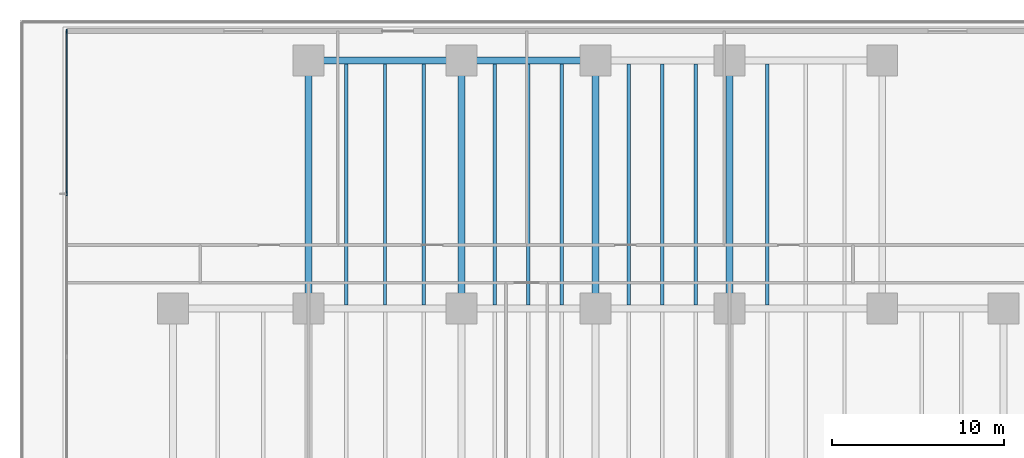
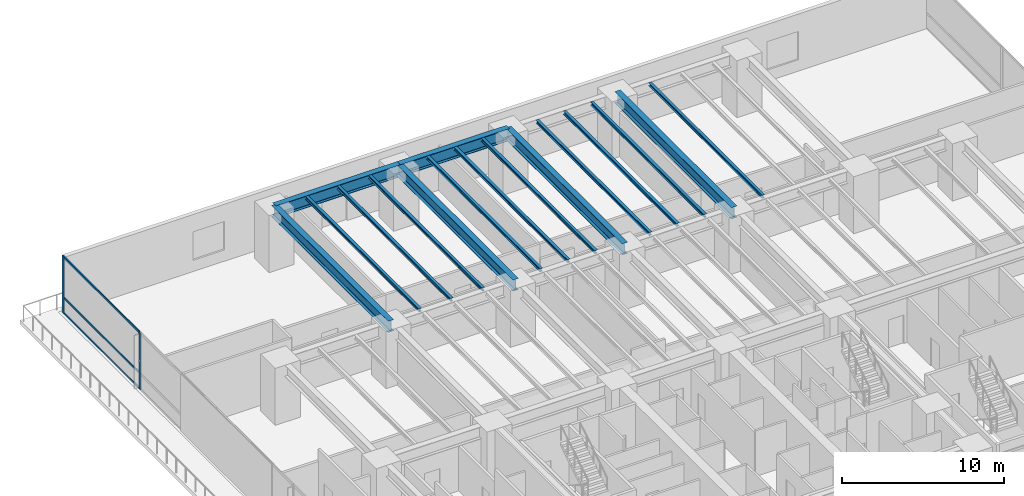
# One storey, part 5 of 26: 16 beams, 5 members, 1 element without a shape of its own.
"""IFC4 building model written with IfcOpenShell, lengths in metres."""

import ifcopenshell
import ifcopenshell.guid

model = None  # the IFC model being written
_history = None  # IfcOwnerHistory: only IFC2X3 demands one
_inside = {}  # id of a spatial element -> (the spatial element, [elements in it])
_under = {}  # id of a project, library or spatial element -> (it, [spatial elements below it])
_declared = {}  # id of a project -> (the project, [libraries it declares])
_typed = {}  # id of a type object -> (the type object, [elements of that type])
_made_of = {}  # id of a material, layer set ... -> (it, [elements and type objects made of it])


def new_model(schema):
    """Start an empty IFC model of exactly this schema.

    Asked for "IFC4X3", IfcOpenShell would pick the latest addendum, in which some entities
    have other attributes; the version numbers below select the first issue.
    IFC2X3 requires an IfcOwnerHistory on every rooted entity: one is made here for all.
    """
    global model, _history
    if schema == "IFC4X3":
        model = ifcopenshell.file(schema_version=(4, 3, 0, 0))
    else:
        model = ifcopenshell.file(schema=schema)
    _inside.clear()
    _under.clear()
    _declared.clear()
    _typed.clear()
    _made_of.clear()
    _history = None
    if model.schema == "IFC2X3":
        org = make("IfcOrganization", Name="unknown")
        user = make(
            "IfcPersonAndOrganization",
            ThePerson=make("IfcPerson", FamilyName="unknown"),
            TheOrganization=org,
        )
        app = make(
            "IfcApplication",
            ApplicationDeveloper=org,
            Version="unknown",
            ApplicationFullName="unknown",
            ApplicationIdentifier="unknown",
        )
        _history = make(
            "IfcOwnerHistory",
            OwningUser=user,
            OwningApplication=app,
            ChangeAction="ADDED",
            CreationDate=0,
        )
    return model


def make(cls, **values):
    """One entity of the class cls with the attributes given. An attribute that is None is left unset."""
    return model.create_entity(
        cls, **{name: value for name, value in values.items() if value is not None}
    )


def rooted(cls, **values):
    """An entity with a GlobalId (a new one), such as an element, a storey or a relation."""
    return make(cls, GlobalId=ifcopenshell.guid.new(), OwnerHistory=_history, **values)


def si_unit(unit_type, name, prefix=None):
    """IfcSIUnit, for example si_unit("LENGTHUNIT", "METRE", prefix="MILLI")."""
    return make("IfcSIUnit", UnitType=unit_type, Prefix=prefix, Name=name)


def assignment(units):
    """IfcUnitAssignment: the units of a project."""
    return None if units is None else make("IfcUnitAssignment", Units=units)


def point(xyz):
    """IfcCartesianPoint."""
    return None if xyz is None else make("IfcCartesianPoint", Coordinates=xyz)


def direction(xyz):
    """IfcDirection."""
    return None if xyz is None else make("IfcDirection", DirectionRatios=xyz)


def frame(location, z_axis=None, x_axis=None):
    """IfcAxis2Placement3D, a coordinate frame: its origin and axes. An axis left out is left unset."""
    return make(
        "IfcAxis2Placement3D",
        Location=point(location),
        Axis=direction(z_axis),
        RefDirection=direction(x_axis),
    )


def frame_2d(location, x_axis=None):
    """IfcAxis2Placement2D, a coordinate frame in the plane: its origin and x axis."""
    return make(
        "IfcAxis2Placement2D", Location=point(location), RefDirection=direction(x_axis)
    )


def origin():
    """The frame at (0, 0, 0) with its axes left unset."""
    return frame((0.0, 0.0, 0.0))


def origin_2d():
    """The frame at (0, 0) in the plane with its x axis left unset."""
    return frame_2d((0.0, 0.0))


def place(relative_to, where):
    """IfcLocalPlacement: puts the frame where relative to a parent placement (None: the world)."""
    return make(
        "IfcLocalPlacement", PlacementRelTo=relative_to, RelativePlacement=where
    )


def context(
    kind, dimensions, precision=None, world=None, true_north=None, identifier=None
):
    """IfcGeometricRepresentationContext, for example the 3D "Model" context."""
    return make(
        "IfcGeometricRepresentationContext",
        ContextIdentifier=identifier,
        ContextType=kind,
        CoordinateSpaceDimension=dimensions,
        Precision=precision,
        WorldCoordinateSystem=world,
        TrueNorth=true_north,
    )


def subcontext(parent, identifier, kind, view, scale=None):
    """IfcGeometricRepresentationSubContext, for example "Body" below "Model"."""
    return make(
        "IfcGeometricRepresentationSubContext",
        ContextIdentifier=identifier,
        ContextType=kind,
        ParentContext=parent,
        TargetScale=scale,
        TargetView=view,
    )


def project(units=None, contexts=None):
    """IfcProject with its units and contexts."""
    return rooted(
        "IfcProject",
        Name="project",
        RepresentationContexts=contexts,
        UnitsInContext=assignment(units),
    )


def spatial(cls, under=None, at=None, **own):
    """A site, building, storey or space (cls), placed at a placement, below another one or the project."""
    s = rooted(cls, ObjectPlacement=at, **own)
    if under is not None:
        _under.setdefault(under.id(), (under, []))[1].append(s)
    return s


def profile(cls, at=None, kind="AREA", **sizes):
    """A parametric profile (cls). Its sizes go by their IFC names, for example OverallWidth=200.0."""
    return make(cls, ProfileType=kind, Position=at, **sizes)


def rectangle(**sizes):
    """IfcRectangleProfileDef."""
    return profile("IfcRectangleProfileDef", **sizes)


def i_section(**sizes):
    """IfcIShapeProfileDef."""
    return profile("IfcIShapeProfileDef", **sizes)


def extrude(swept, where, along, depth):
    """IfcExtrudedAreaSolid: the profile swept, set in the frame where, extruded along a direction by depth."""
    return make(
        "IfcExtrudedAreaSolid",
        SweptArea=swept,
        Position=where,
        ExtrudedDirection=direction(along),
        Depth=depth,
    )


def shape(context_of_items, identifier, shape_type, items):
    """IfcShapeRepresentation: the items that make up one representation, for example the "Body"."""
    return make(
        "IfcShapeRepresentation",
        ContextOfItems=context_of_items,
        RepresentationIdentifier=identifier,
        RepresentationType=shape_type,
        Items=items,
    )


def material(Name=None, Category=None):
    """IfcMaterial."""
    return make("IfcMaterial", Name=Name, Category=Category)


def layer(
    of_material, thickness, ventilated=None, Name=None, Category=None, Priority=None
):
    """IfcMaterialLayer: one layer of a wall or slab, of a material (None: an air gap)."""
    return make(
        "IfcMaterialLayer",
        Material=of_material,
        LayerThickness=thickness,
        IsVentilated=ventilated,
        Name=Name,
        Category=Category,
        Priority=Priority,
    )


def layer_set(layers, Name=None):
    """IfcMaterialLayerSet."""
    return make("IfcMaterialLayerSet", MaterialLayers=layers, LayerSetName=Name)


def material_profile(
    of_material, cross_section, Name=None, Category=None, Priority=None
):
    """IfcMaterialProfile: a cross section and its material."""
    return make(
        "IfcMaterialProfile",
        Name=Name,
        Material=of_material,
        Profile=cross_section,
        Priority=Priority,
        Category=Category,
    )


def profile_set(profiles, Name=None, composite=None):
    """IfcMaterialProfileSet."""
    return make(
        "IfcMaterialProfileSet",
        Name=Name,
        MaterialProfiles=profiles,
        CompositeProfile=composite,
    )


def made_of(thing, what):
    """Note that an element or type object is made of a material, layer set ...; save() writes the relation."""
    if what is not None:
        _made_of.setdefault(what.id(), (what, []))[1].append(thing)
    return thing


def type_object(cls, material=None, **own):
    """A type object (cls), such as IfcWallType, which elements share."""
    return made_of(rooted(cls, **own), material)


def element(
    cls,
    number,
    at=None,
    inside=None,
    cuts=None,
    type_object=None,
    material=None,
    context=None,
    identifier="Body",
    shape_type=None,
    held_by="IfcProductDefinitionShape",
    body=None,
    shapes=None,
    **own,
):
    """One element of the class cls, such as IfcWall. Its Tag is "e" and its number.

    at: its placement. inside: the storey or other place that contains it. cuts: it is an
    opening in that element (IfcRelVoidsElement). A single representation is given by context,
    identifier, shape_type and body (its items); several are given by shapes. held_by: the class
    of the entity that holds the representations. save() writes the other relations.
    """
    e = rooted(cls, Tag="e%d" % number, ObjectPlacement=at, **own)
    if body is not None:
        shapes = [shape(context, identifier, shape_type, body)]
    if shapes is not None:
        e.Representation = make(held_by, Representations=shapes)
    if inside is not None:
        _inside.setdefault(inside.id(), (inside, []))[1].append(e)
    if cuts is not None:
        rooted(
            "IfcRelVoidsElement", RelatingBuildingElement=cuts, RelatedOpeningElement=e
        )
    if type_object is not None:
        _typed.setdefault(type_object.id(), (type_object, []))[1].append(e)
    return made_of(e, material)


def aggregate(whole, parts):
    """IfcRelAggregates: a whole, such as a stair, and the parts it consists of."""
    return rooted("IfcRelAggregates", RelatingObject=whole, RelatedObjects=parts)


def save(model, path):
    """Write the relations noted so far, then the file.

    IfcRelAggregates (storeys below a building ...), IfcRelContainedInSpatialStructure (elements
    in a storey), IfcRelDefinesByType, IfcRelAssociatesMaterial and IfcRelDeclares: one each for
    every whole, place, type object, material and project.
    """
    for whole, parts in _under.values():
        aggregate(whole, parts)
    for where, things in _inside.values():
        rooted(
            "IfcRelContainedInSpatialStructure",
            RelatedElements=things,
            RelatingStructure=where,
        )
    for kind, things in _typed.values():
        rooted("IfcRelDefinesByType", RelatedObjects=things, RelatingType=kind)
    for what, things in _made_of.values():
        rooted("IfcRelAssociatesMaterial", RelatedObjects=things, RelatingMaterial=what)
    for by, libraries in _declared.values():
        rooted("IfcRelDeclares", RelatingContext=by, RelatedDefinitions=libraries)
    model.write(path)


model = new_model("IFC4")

# Units and contexts
model_context = context("Model", 3, precision=1e-05, world=origin(), true_north=direction((0.0, 1.0)))
body_context = subcontext(model_context, "Body", "Model", "MODEL_VIEW")
ifc_project = project(units=[si_unit("LENGTHUNIT", "METRE"), si_unit("AREAUNIT", "SQUARE_METRE"), si_unit("VOLUMEUNIT", "CUBIC_METRE"), si_unit("PLANEANGLEUNIT", "RADIAN"), si_unit("MASSUNIT", "GRAM", prefix="KILO")], contexts=[model_context])

# Site, building, storey
site_placement = place(None, origin())
site = spatial("IfcSite", under=ifc_project, at=site_placement, CompositionType="ELEMENT")
building_placement = place(site_placement, origin())
building = spatial("IfcBuilding", under=site, at=building_placement, Name="Qalmaran Belvedere Hotel", CompositionType="ELEMENT")
storey_placement = place(building_placement, frame((0.0, 0.0, 19.199951171875)))
storey = spatial("IfcBuildingStorey", under=building, at=storey_placement, Name="L04", CompositionType="ELEMENT", Elevation=19.199951171875)

# Beams
ifc_material_1 = material(Name="Steel S355JR", Category="steel")
ifc_material_profile_1 = material_profile(ifc_material_1, i_section(OverallWidth=0.201904296875, OverallDepth=0.2470703125, WebThickness=0.00732421875, FlangeThickness=0.010986328125, FilletRadius=0.011962890625, at=origin_2d()), Name="W250X49")
ifc_profile_set_1 = profile_set([ifc_material_profile_1], Name="Steel S355JR")
beam_type_1 = type_object("IfcBeamType", Name="BM-JST-W250X49", PredefinedType="JOIST", material=ifc_profile_set_1)
for number, where, z_axis, x_axis, name in (
    (1, (22.5, 33.20703125, 4.176513671875), (0.0, 1.0, 0.0), (-1.0, 0.0, 0.0), "L04 Podium North-Ballroom Joist 044"),
    (2, (24.75, 33.20703125, 4.176513671875), (0.0, 1.0, 0.0), (-1.0, 0.0, 0.0), "L04 Podium North-Ballroom Joist 046"),
    (3, (27.0, 33.20703125, 4.176513671875), (0.0, 1.0, 0.0), (-1.0, 0.0, 0.0), "L04 Podium North-Ballroom Joist 048"),
    (4, (31.14990234375, 33.20703125, 4.176513671875), (0.0, 1.0, 0.0), (-1.0, 0.0, 0.0), "L04 Podium North-Ballroom Joist 050"),
    (5, (33.10009765625, 33.20703125, 4.176513671875), (0.0, 1.0, 0.0), (-1.0, 0.0, 0.0), "L04 Podium North-Ballroom Joist 052"),
    (6, (35.050048828125, 33.20703125, 4.176513671875), (0.0, 1.0, 0.0), (-1.0, 0.0, 0.0), "L04 Podium North-Ballroom Joist 054"),
    (7, (38.949951171875, 33.20703125, 4.176513671875), (0.0, 1.0, 0.0), (-1.0, 0.0, 0.0), "L04 Podium North-Ballroom Joist 056"),
    (8, (40.89990234375, 33.20703125, 4.176513671875), (0.0, 1.0, 0.0), (-1.0, 0.0, 0.0), "L04 Podium North-Ballroom Joist 058"),
    (9, (42.85009765625, 33.20703125, 4.176513671875), (0.0, 1.0, 0.0), (-1.0, 0.0, 0.0), "L04 Podium North-Ballroom Joist 060"),
    (10, (47.0, 33.20703125, 4.176513671875), (0.0, 1.0, 0.0), (-1.0, 0.0, 0.0), "L04 Podium North-Ballroom Joist 062"),
):
    element("IfcBeam", number, at=place(storey_placement, frame(where, z_axis=z_axis, x_axis=x_axis)), inside=storey, type_object=beam_type_1, Name=name, PredefinedType="JOIST", context=body_context, shape_type="SweptSolid", body=[
        extrude(i_section(OverallWidth=0.201904296875, OverallDepth=0.2470703125, WebThickness=0.00732421875, FlangeThickness=0.010986328125, FilletRadius=0.011962890625, at=origin_2d()), origin(), (0.0, 0.0, 1.0), 14.035888671875),
    ])
ifc_material_profile_2 = material_profile(ifc_material_1, i_section(OverallWidth=0.41796875, OverallDepth=0.912109375, WebThickness=0.019287109375, FlangeThickness=0.031982421875, FilletRadius=0.02392578125, at=origin_2d()), Name="W920X342")
ifc_profile_set_2 = profile_set([ifc_material_profile_2], Name="Steel S355JR")
beam_type_2 = type_object("IfcBeamType", Name="BM-PG2-W920X342", PredefinedType="USERDEFINED", material=ifc_profile_set_2)
beam_1_placement = place(storey_placement, frame((20.300048828125, 47.449951171875, 3.843994140625), z_axis=(1.0, 0.0, 0.0), x_axis=(0.0, 1.0, 0.0)))
element("IfcBeam", 11, at=beam_1_placement, inside=storey, type_object=beam_type_2, Name="L04 Podium Primary Girder GX18", ObjectType="GIRDER", PredefinedType="USERDEFINED", context=body_context, shape_type="SweptSolid", body=[
    extrude(i_section(OverallWidth=0.41796875, OverallDepth=0.912109375, WebThickness=0.019287109375, FlangeThickness=0.031982421875, FilletRadius=0.02392578125, at=origin_2d()), origin(), (0.0, 0.0, 1.0), 8.89990234375),
])
beam_2_placement = place(storey_placement, frame((29.199951171875, 47.449951171875, 3.843994140625), z_axis=(1.0, 0.0, 0.0), x_axis=(0.0, 1.0, 0.0)))
element("IfcBeam", 12, at=beam_2_placement, inside=storey, type_object=beam_type_2, Name="L04 Podium Primary Girder GX19", ObjectType="GIRDER", PredefinedType="USERDEFINED", context=body_context, shape_type="SweptSolid", body=[
    extrude(i_section(OverallWidth=0.41796875, OverallDepth=0.912109375, WebThickness=0.019287109375, FlangeThickness=0.031982421875, FilletRadius=0.02392578125, at=origin_2d()), origin(), (0.0, 0.0, 1.0), 7.800048828125),
])
ifc_material_profile_3 = material_profile(ifc_material_1, i_section(OverallWidth=0.39990234375, OverallDepth=0.85498046875, WebThickness=0.018310546875, FlangeThickness=0.029296875, FilletRadius=0.02392578125, at=origin_2d()), Name="W840X299")
ifc_profile_set_3 = profile_set([ifc_material_profile_3], Name="Steel S355JR")
beam_type_3 = type_object("IfcBeamType", Name="BM-PG3-W840X299", PredefinedType="USERDEFINED", material=ifc_profile_set_3)
for number, where, z_axis, x_axis, name in (
    (13, (20.300048828125, 33.0, 3.87255859375), (0.0, 1.0, 0.0), (-1.0, 0.0, 0.0), "L04 Podium Transverse Girder GY27"),
    (14, (29.199951171875, 33.0, 3.87255859375), (0.0, 1.0, 0.0), (-1.0, 0.0, 0.0), "L04 Podium Transverse Girder GY30"),
    (15, (37.0, 33.0, 3.87255859375), (0.0, 1.0, 0.0), (-1.0, 0.0, 0.0), "L04 Podium Transverse Girder GY33"),
    (16, (44.800048828125, 33.0, 3.87255859375), (0.0, 1.0, 0.0), (-1.0, 0.0, 0.0), "L04 Podium Transverse Girder GY37"),
):
    element("IfcBeam", number, at=place(storey_placement, frame(where, z_axis=z_axis, x_axis=x_axis)), inside=storey, type_object=beam_type_3, Name=name, ObjectType="GIRDER", PredefinedType="USERDEFINED", context=body_context, shape_type="SweptSolid", body=[
        extrude(i_section(OverallWidth=0.39990234375, OverallDepth=0.85498046875, WebThickness=0.018310546875, FlangeThickness=0.029296875, FilletRadius=0.02392578125, at=origin_2d()), origin(), (0.0, 0.0, 1.0), 14.449951171875),
    ])

# Curtain wall, members
ifc_material_2 = material(Name="Anodised Bronze Aluminium", Category="aluminium")
ifc_layer = layer(ifc_material_2, 0.219970703125, Name="Anodised Bronze Aluminium")
ifc_layer_set = layer_set([ifc_layer], Name="Anodised Bronze Aluminium")
curtain_wall_type = type_object("IfcCurtainWallType", Name="CW1-PODIUM-BRONZE", PredefinedType="NOTDEFINED", material=ifc_layer_set)
curtain_wall_placement = place(storey_placement, origin())
curtain_wall = element("IfcCurtainWall", 17, at=curtain_wall_placement, inside=storey, type_object=curtain_wall_type, Name="L04 Curtain Wall CW1", PredefinedType="NOTDEFINED")
ifc_material_profile_4 = material_profile(ifc_material_2, rectangle(XDim=0.074951171875, YDim=0.219970703125, at=origin_2d()), Name="CWM75X220")
ifc_profile_set_4 = profile_set([ifc_material_profile_4], Name="Anodised Bronze Aluminium")
member_type_1 = type_object("IfcMemberType", Name="CWM-75X220", PredefinedType="MULLION", material=ifc_profile_set_4)
member_1_placement = place(storey_placement, frame((6.219970703125, 49.142578125, 0.0), z_axis=(0.0, 0.0, 1.0), x_axis=(1.0, 0.0, 0.0)))
member_1 = element("IfcMember", 18, at=member_1_placement, type_object=member_type_1, Name="CW1 mullion 1", PredefinedType="MULLION", context=body_context, shape_type="SweptSolid", body=[
    extrude(rectangle(XDim=0.074951171875, YDim=0.219970703125, at=origin_2d()), origin(), (0.0, 0.0, 1.0), 4.300048828125),
])
member_2_placement = place(storey_placement, frame((6.219970703125, 39.68798828125, 0.0), z_axis=(0.0, 0.0, 1.0), x_axis=(1.0, 0.0, 0.0)))
member_2 = element("IfcMember", 19, at=member_2_placement, type_object=member_type_1, Name="CW1 mullion 2", PredefinedType="MULLION", context=body_context, shape_type="SweptSolid", body=[
    extrude(rectangle(XDim=0.074951171875, YDim=0.219970703125, at=origin_2d()), origin(), (0.0, 0.0, 1.0), 4.300048828125),
])
ifc_material_profile_5 = material_profile(ifc_material_2, rectangle(XDim=0.070068359375, YDim=0.14990234375, at=origin_2d()), Name="CWT70X150")
ifc_profile_set_5 = profile_set([ifc_material_profile_5], Name="Anodised Bronze Aluminium")
member_type_2 = type_object("IfcMemberType", Name="CWT-70X150", PredefinedType="USERDEFINED", material=ifc_profile_set_5)
member_3_placement = place(storey_placement, frame((6.219970703125, 49.10498046875, 0.03515625), z_axis=(0.0, -1.0, 0.0), x_axis=(1.0, 0.0, 0.0)))
member_3 = element("IfcMember", 20, at=member_3_placement, type_object=member_type_2, Name="CW1 transom 1.1", ObjectType="TRANSOM", PredefinedType="USERDEFINED", context=body_context, shape_type="SweptSolid", body=[
    extrude(rectangle(XDim=0.070068359375, YDim=0.14990234375, at=origin_2d()), origin(), (0.0, 0.0, 1.0), 9.37939453125),
])
member_4_placement = place(storey_placement, frame((6.219970703125, 49.10498046875, 1.2041015625), z_axis=(0.0, -1.0, 0.0), x_axis=(1.0, 0.0, 0.0)))
member_4 = element("IfcMember", 21, at=member_4_placement, type_object=member_type_2, Name="CW1 transom 1.2", ObjectType="TRANSOM", PredefinedType="USERDEFINED", context=body_context, shape_type="SweptSolid", body=[
    extrude(rectangle(XDim=0.070068359375, YDim=0.14990234375, at=origin_2d()), origin(), (0.0, 0.0, 1.0), 9.37939453125),
])
member_5_placement = place(storey_placement, frame((6.219970703125, 49.10498046875, 4.26513671875), z_axis=(0.0, -1.0, 0.0), x_axis=(1.0, 0.0, 0.0)))
member_5 = element("IfcMember", 22, at=member_5_placement, type_object=member_type_2, Name="CW1 transom 1.3", ObjectType="TRANSOM", PredefinedType="USERDEFINED", context=body_context, shape_type="SweptSolid", body=[
    extrude(rectangle(XDim=0.070068359375, YDim=0.14990234375, at=origin_2d()), origin(), (0.0, 0.0, 1.0), 9.37939453125),
])
aggregate(curtain_wall, [member_1, member_2, member_3, member_4, member_5])

save(model, "model.ifc")
